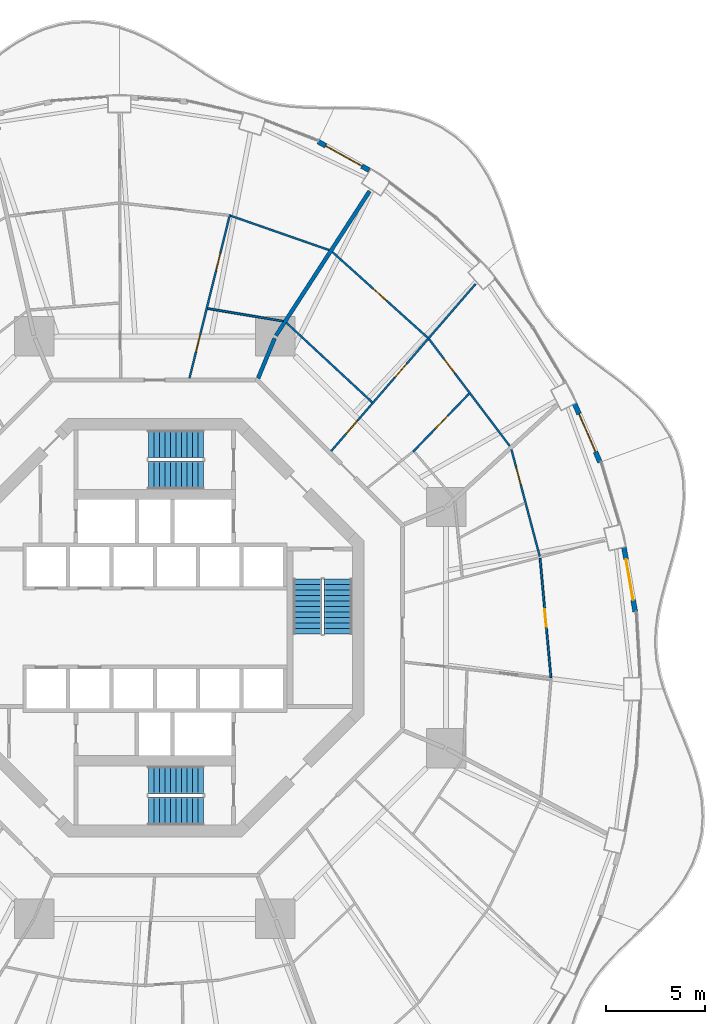
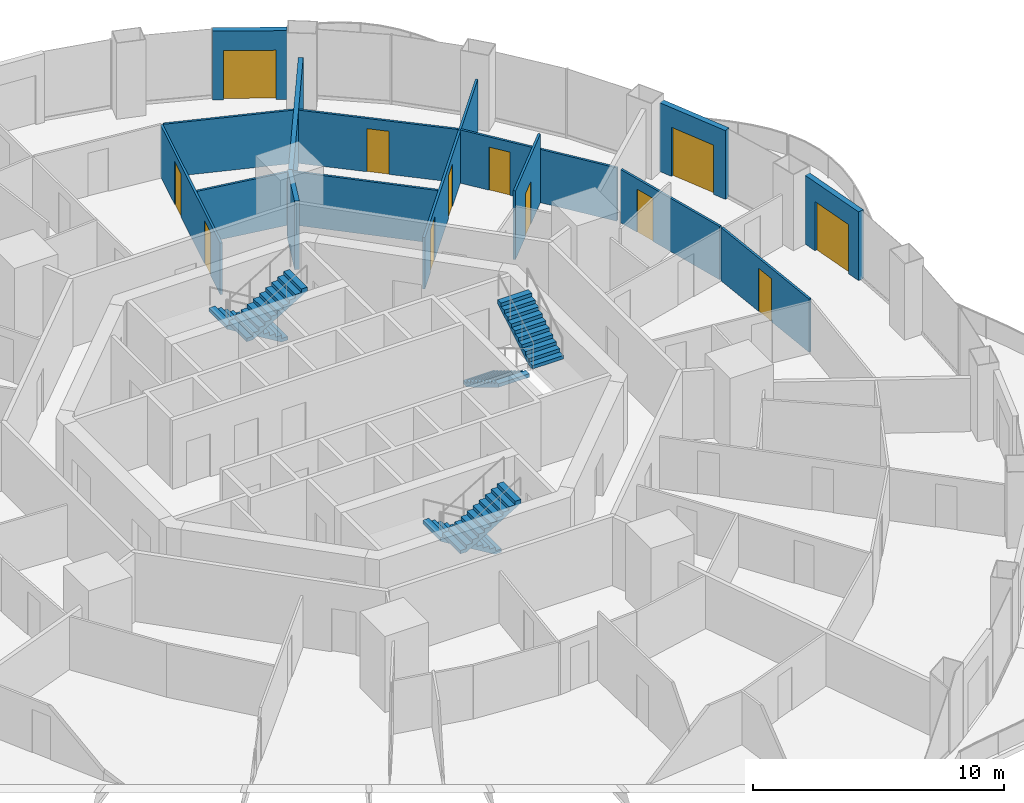
# One storey, part 18 of 21: 15 walls, 12 doors, 6 stair flights, 12 openings, 3 elements without a shape of their own.
"""IFC4 building model written with IfcOpenShell, lengths in metres."""

from ifc_helpers import new_model, si_unit, direction, frame, frame_2d, origin, place, context, subcontext, project, spatial, polyline, rectangle, outline, extrude, material, layer, layer_set, type_object, element, fill, aggregate, save


model = new_model("IFC4")

# Units and contexts
model_context = context("Model", 3, precision=1e-05, world=origin(), true_north=direction((0.0, 1.0)))
body_context = subcontext(model_context, "Body", "Model", "MODEL_VIEW")
ifc_project = project(units=[si_unit("LENGTHUNIT", "METRE"), si_unit("AREAUNIT", "SQUARE_METRE"), si_unit("VOLUMEUNIT", "CUBIC_METRE"), si_unit("PLANEANGLEUNIT", "RADIAN"), si_unit("MASSUNIT", "GRAM", prefix="KILO")], contexts=[model_context])

# Site, building, storey
site_placement = place(None, origin())
site = spatial("IfcSite", under=ifc_project, at=site_placement, CompositionType="ELEMENT")
building_placement = place(site_placement, origin())
building = spatial("IfcBuilding", under=site, at=building_placement, Name="Nagisa Residences", CompositionType="ELEMENT")
storey_placement = place(building_placement, frame((0.0, 0.0, 156.60009765625)))
storey = spatial("IfcBuildingStorey", under=building, at=storey_placement, Name="L39", CompositionType="ELEMENT", Elevation=156.60009765625)

# Walls
ifc_material_1 = material(Name="Gypsum board on steel studs", Category="steel")
ifc_layer_1 = layer(ifc_material_1, 0.199951171875)
ifc_layer_set_1 = layer_set([ifc_layer_1], Name="Apartment compartment wall EI60 200")
wall_type_1 = type_object("IfcWallType", Name="Apartment compartment wall EI60 200", PredefinedType="PARTITIONING", material=ifc_layer_set_1)
wall_1_placement = place(storey_placement, frame((5.24267578125, 12.6572265625, 0.0), z_axis=(0.0, 0.0, 1.0), x_axis=(0.38273085373, 0.923859888513, 0.0)))
element("IfcWall", 1, at=wall_1_placement, inside=storey, type_object=wall_type_1, Name="wall:L39:u02", PredefinedType="PARTITIONING", context=body_context, shape_type="SweptSolid", body=[
    extrude(rectangle(XDim=2.199462890625, YDim=0.199951171875, at=frame_2d((1.099609375, 0.0))), origin(), (0.0, 0.0, 1.0), 3.349853515625),
])
wall_2_placement = place(storey_placement, frame((6.150146484375, 14.823974609375, 0.0), z_axis=(0.0, 0.0, 1.0), x_axis=(0.543695254109, 0.839282711998, 0.0)))
element("IfcWall", 2, at=wall_2_placement, inside=storey, type_object=wall_type_1, Name="wall:L39:u03", PredefinedType="PARTITIONING", context=body_context, shape_type="SweptSolid", body=[
    extrude(rectangle(XDim=8.731201171875, YDim=0.199951171875, at=frame_2d((4.36572265625, 0.0))), origin(), (0.0, 0.0, 1.0), 2.596923828125),
])

# Wall, opening, door
ifc_material_2 = material(Name="Gypsum board on steel studs", Category="steel")
ifc_layer_2 = layer(ifc_material_2, 0.10009765625)
ifc_layer_set_2 = layer_set([ifc_layer_2], Name="Apartment partition 100")
wall_type_2 = type_object("IfcWallType", Name="Apartment partition 100", PredefinedType="PARTITIONING", material=ifc_layer_set_2)
wall_3_placement = place(storey_placement, frame((20.105712890625, -2.54248046875, 0.0), z_axis=(0.0, 0.0, 1.0), x_axis=(-0.090571896131, 0.995889919434, 0.0)))
wall_3 = element("IfcWall", 3, at=wall_3_placement, inside=storey, type_object=wall_type_2, Name="wall:L39:u22", PredefinedType="PARTITIONING", context=body_context, shape_type="SweptSolid", body=[
    extrude(rectangle(XDim=6.08935546875, YDim=0.10009765625, at=frame_2d((3.044677734375, 0.0))), origin(), (0.0, 0.0, 1.0), 2.596923828125),
])
opening_1_placement = place(wall_3_placement, frame((2.594482421875, 0.0, 0.0)))
opening_1 = element("IfcOpeningElement", 4, at=opening_1_placement, cuts=wall_3, Name="Opening L39-U14", PredefinedType="OPENING", context=body_context, shape_type="SweptSolid", body=[
    extrude(rectangle(XDim=0.89990234375, YDim=2.10009765625, at=frame_2d((0.449951171875, 1.050048828125))), frame((0.0, 0.06005859375, 0.0), z_axis=(0.0, -1.0, 0.0), x_axis=(1.0, 0.0, 0.0)), (0.0, 0.0, 1.0), 0.1201171875),
])
ifc_material_3 = material(Name="Timber door set", Category="wood")
door_type_1 = type_object("IfcDoorType", Name="Apartment door 900x2100", OperationType="NOTDEFINED", PredefinedType="DOOR", material=ifc_material_3)
door_1_placement = place(opening_1_placement, frame((0.89990234375, 0.0, 0.0), x_axis=(-1.0, 0.0, 0.0)))
door_1 = element("IfcDoor", 5, at=door_1_placement, inside=storey, type_object=door_type_1, Name="Door to family room, Apartment 39B", OperationType="SINGLE_SWING_LEFT", OverallHeight=2.10009765625, OverallWidth=0.89990234375, PredefinedType="DOOR", context=body_context, shape_type="SweptSolid", body=[
    extrude(rectangle(XDim=0.89990234375, YDim=2.10009765625, at=frame_2d((0.449951171875, 1.050048828125))), frame((0.0, 0.02490234375, 0.0), z_axis=(0.0, -1.0, 0.0), x_axis=(1.0, 0.0, 0.0)), (0.0, 0.0, 1.0), 0.050048828125),
])
fill(opening_1, door_1)

wall_4_placement = place(storey_placement, frame((19.536865234375, 3.619873046875, 0.0), z_axis=(0.0, 0.0, 1.0), x_axis=(-0.255909310473, 0.966700793841, 0.0)))
wall_4 = element("IfcWall", 6, at=wall_4_placement, inside=storey, type_object=wall_type_2, Name="wall:L39:u26", PredefinedType="PARTITIONING", context=body_context, shape_type="SweptSolid", body=[
    extrude(rectangle(XDim=5.608642578125, YDim=0.10009765625, at=frame_2d((2.80419921875, 0.0))), origin(), (0.0, 0.0, 1.0), 2.596923828125),
])
opening_2_placement = place(wall_4_placement, frame((3.768798828125, 0.0, 0.0)))
opening_2 = element("IfcOpeningElement", 7, at=opening_2_placement, cuts=wall_4, Name="Opening L39-U16", PredefinedType="OPENING", context=body_context, shape_type="SweptSolid", body=[
    extrude(rectangle(XDim=0.89990234375, YDim=2.10009765625, at=frame_2d((0.449951171875, 1.050048828125))), frame((0.0, 0.06005859375, 0.0), z_axis=(0.0, -1.0, 0.0), x_axis=(1.0, 0.0, 0.0)), (0.0, 0.0, 1.0), 0.1201171875),
])
door_2_placement = place(opening_2_placement, origin())
door_2 = element("IfcDoor", 8, at=door_2_placement, inside=storey, type_object=door_type_1, Name="Door to en-suite bathroom, Apartment 39B", OperationType="SINGLE_SWING_RIGHT", OverallHeight=2.10009765625, OverallWidth=0.89990234375, PredefinedType="DOOR", context=body_context, shape_type="SweptSolid", body=[
    extrude(rectangle(XDim=0.89990234375, YDim=2.10009765625, at=frame_2d((0.449951171875, 1.050048828125))), frame((0.0, 0.02490234375, 0.0), z_axis=(0.0, -1.0, 0.0), x_axis=(1.0, 0.0, 0.0)), (0.0, 0.0, 1.0), 0.050048828125),
])
fill(opening_2, door_2)

wall_5_placement = place(storey_placement, frame((18.015869140625, 9.21826171875, 0.0), z_axis=(0.0, 0.0, 1.0), x_axis=(-0.602406473922, 0.798189476363, 0.0)))
wall_5 = element("IfcWall", 9, at=wall_5_placement, inside=storey, type_object=wall_type_2, Name="wall:L39:u29", PredefinedType="PARTITIONING", context=body_context, shape_type="SweptSolid", body=[
    extrude(rectangle(XDim=6.793701171875, YDim=0.10009765625, at=frame_2d((3.39697265625, 0.0))), origin(), (0.0, 0.0, 1.0), 2.596923828125),
])
opening_3_placement = place(wall_5_placement, frame((4.6328125, 0.0, 0.0)))
opening_3 = element("IfcOpeningElement", 10, at=opening_3_placement, cuts=wall_5, Name="Opening L39-U22", PredefinedType="OPENING", context=body_context, shape_type="SweptSolid", body=[
    extrude(rectangle(XDim=0.89990234375, YDim=2.10009765625, at=frame_2d((0.449951171875, 1.050048828125))), frame((0.0, 0.06005859375, 0.0), z_axis=(0.0, -1.0, 0.0), x_axis=(1.0, 0.0, 0.0)), (0.0, 0.0, 1.0), 0.1201171875),
])
door_3_placement = place(opening_3_placement, frame((0.89990234375, 0.0, 0.0), x_axis=(-1.0, 0.0, 0.0)))
door_3 = element("IfcDoor", 11, at=door_3_placement, inside=storey, type_object=door_type_1, Name="Door to bedroom, Apartment 39C", OperationType="SINGLE_SWING_LEFT", OverallHeight=2.10009765625, OverallWidth=0.89990234375, PredefinedType="DOOR", context=body_context, shape_type="SweptSolid", body=[
    extrude(rectangle(XDim=0.89990234375, YDim=2.10009765625, at=frame_2d((0.449951171875, 1.050048828125))), frame((0.0, 0.02490234375, 0.0), z_axis=(0.0, -1.0, 0.0), x_axis=(1.0, 0.0, 0.0)), (0.0, 0.0, 1.0), 0.050048828125),
])
fill(opening_3, door_3)

wall_6_placement = place(storey_placement, frame((13.106689453125, 8.928955078125, 0.0), z_axis=(0.0, 0.0, 1.0), x_axis=(0.694592384931, 0.719403515974, 0.0)))
wall_6 = element("IfcWall", 12, at=wall_6_placement, inside=storey, type_object=wall_type_2, Name="wall:L39:u31", PredefinedType="PARTITIONING", context=body_context, shape_type="SweptSolid", body=[
    extrude(rectangle(XDim=4.093505859375, YDim=0.10009765625, at=frame_2d((2.046875, 0.0))), origin(), (0.0, 0.0, 1.0), 3.349853515625),
])
opening_4_placement = place(wall_6_placement, frame((1.62158203125, 0.0, 0.0)))
opening_4 = element("IfcOpeningElement", 13, at=opening_4_placement, cuts=wall_6, Name="Opening L39-U20", PredefinedType="OPENING", context=body_context, shape_type="SweptSolid", body=[
    extrude(rectangle(XDim=0.89990234375, YDim=2.10009765625, at=frame_2d((0.449951171875, 1.050048828125))), frame((0.0, 0.06005859375, 0.0), z_axis=(0.0, -1.0, 0.0), x_axis=(1.0, 0.0, 0.0)), (0.0, 0.0, 1.0), 0.1201171875),
])
door_4_placement = place(opening_4_placement, frame((0.89990234375, 0.0, 0.0), x_axis=(-1.0, 0.0, 0.0)))
door_4 = element("IfcDoor", 14, at=door_4_placement, inside=storey, type_object=door_type_1, Name="Door to family bathroom, Apartment 39C", OperationType="SINGLE_SWING_LEFT", OverallHeight=2.10009765625, OverallWidth=0.89990234375, PredefinedType="DOOR", context=body_context, shape_type="SweptSolid", body=[
    extrude(rectangle(XDim=0.89990234375, YDim=2.10009765625, at=frame_2d((0.449951171875, 1.050048828125))), frame((0.0, 0.02490234375, 0.0), z_axis=(0.0, -1.0, 0.0), x_axis=(1.0, 0.0, 0.0)), (0.0, 0.0, 1.0), 0.050048828125),
])
fill(opening_4, door_4)

# Wall, openings, doors
wall_7_placement = place(storey_placement, frame((8.949951171875, 8.960205078125, 0.0), z_axis=(0.0, 0.0, 1.0), x_axis=(0.653830241148, 0.756641272837, 0.0)))
wall_7 = element("IfcWall", 15, at=wall_7_placement, inside=storey, type_object=wall_type_2, Name="wall:L39:u32", PredefinedType="PARTITIONING", context=body_context, shape_type="SweptSolid", body=[
    extrude(rectangle(XDim=11.208251953125, YDim=0.10009765625, at=frame_2d((5.60400390625, 0.0))), origin(), (0.0, 0.0, 1.0), 2.514892578125),
])
opening_5_placement = place(wall_7_placement, frame((1.16796875, 0.0, 0.0)))
opening_5 = element("IfcOpeningElement", 16, at=opening_5_placement, cuts=wall_7, Name="Opening L39-U19", PredefinedType="OPENING", context=body_context, shape_type="SweptSolid", body=[
    extrude(rectangle(XDim=0.89990234375, YDim=2.10009765625, at=frame_2d((0.449951171875, 1.050048828125))), frame((0.0, 0.06005859375, 0.0), z_axis=(0.0, -1.0, 0.0), x_axis=(1.0, 0.0, 0.0)), (0.0, 0.0, 1.0), 0.1201171875),
])
opening_6_placement = place(wall_7_placement, frame((4.9482421875, 0.0, 0.0)))
opening_6 = element("IfcOpeningElement", 17, at=opening_6_placement, cuts=wall_7, Name="Opening L39-U21", PredefinedType="OPENING", context=body_context, shape_type="SweptSolid", body=[
    extrude(rectangle(XDim=0.89990234375, YDim=2.10009765625, at=frame_2d((0.449951171875, 1.050048828125))), frame((0.0, 0.06005859375, 0.0), z_axis=(0.0, -1.0, 0.0), x_axis=(1.0, 0.0, 0.0)), (0.0, 0.0, 1.0), 0.1201171875),
])
door_5_placement = place(opening_5_placement, origin())
door_5 = element("IfcDoor", 18, at=door_5_placement, inside=storey, type_object=door_type_1, Name="Door to laundry, Apartment 39C", OperationType="SINGLE_SWING_LEFT", OverallHeight=2.10009765625, OverallWidth=0.89990234375, PredefinedType="DOOR", context=body_context, shape_type="SweptSolid", body=[
    extrude(rectangle(XDim=0.89990234375, YDim=2.10009765625, at=frame_2d((0.449951171875, 1.050048828125))), frame((0.0, 0.02490234375, 0.0), z_axis=(0.0, -1.0, 0.0), x_axis=(1.0, 0.0, 0.0)), (0.0, 0.0, 1.0), 0.050048828125),
])
fill(opening_5, door_5)
door_6_placement = place(opening_6_placement, origin())
door_6 = element("IfcDoor", 19, at=door_6_placement, inside=storey, type_object=door_type_1, Name="Door to kitchen, Apartment 39C", OperationType="SINGLE_SWING_LEFT", OverallHeight=2.10009765625, OverallWidth=0.89990234375, PredefinedType="DOOR", context=body_context, shape_type="SweptSolid", body=[
    extrude(rectangle(XDim=0.89990234375, YDim=2.10009765625, at=frame_2d((0.449951171875, 1.050048828125))), frame((0.0, 0.02490234375, 0.0), z_axis=(0.0, -1.0, 0.0), x_axis=(1.0, 0.0, 0.0)), (0.0, 0.0, 1.0), 0.050048828125),
])
fill(opening_6, door_6)

# Wall
wall_8_placement = place(storey_placement, frame((11.029052734375, 11.44287109375, 0.0), z_axis=(0.0, 0.0, 1.0), x_axis=(-0.733113447346, 0.680106369122, 0.0)))
element("IfcWall", 20, at=wall_8_placement, inside=storey, type_object=wall_type_2, Name="wall:L39:u33", PredefinedType="PARTITIONING", context=body_context, shape_type="SweptSolid", body=[
    extrude(rectangle(XDim=5.923095703125, YDim=0.10009765625, at=frame_2d((2.96142578125, 0.0))), origin(), (0.0, 0.0, 1.0), 2.596923828125),
])

# Wall, opening, door
wall_9_placement = place(storey_placement, frame((13.856201171875, 14.71435546875, 0.0), z_axis=(0.0, 0.0, 1.0), x_axis=(-0.743799395746, 0.668402916577, 0.0)))
wall_9 = element("IfcWall", 21, at=wall_9_placement, inside=storey, type_object=wall_type_2, Name="wall:L39:u34", PredefinedType="PARTITIONING", context=body_context, shape_type="SweptSolid", body=[
    extrude(rectangle(XDim=6.508544921875, YDim=0.10009765625, at=frame_2d((3.25439453125, 0.0))), origin(), (0.0, 0.0, 1.0), 2.596923828125),
])
opening_7_placement = place(wall_9_placement, frame((2.80419921875, 0.0, 0.0)))
opening_7 = element("IfcOpeningElement", 22, at=opening_7_placement, cuts=wall_9, Name="Opening L39-U23", PredefinedType="OPENING", context=body_context, shape_type="SweptSolid", body=[
    extrude(rectangle(XDim=0.89990234375, YDim=2.10009765625, at=frame_2d((0.449951171875, 1.050048828125))), frame((0.0, 0.06005859375, 0.0), z_axis=(0.0, -1.0, 0.0), x_axis=(1.0, 0.0, 0.0)), (0.0, 0.0, 1.0), 0.1201171875),
])
door_7_placement = place(opening_7_placement, frame((0.89990234375, 0.0, 0.0), x_axis=(-1.0, 0.0, 0.0)))
door_7 = element("IfcDoor", 23, at=door_7_placement, inside=storey, type_object=door_type_1, Name="Door to master bedroom, Apartment 39C", OperationType="SINGLE_SWING_RIGHT", OverallHeight=2.10009765625, OverallWidth=0.89990234375, PredefinedType="DOOR", context=body_context, shape_type="SweptSolid", body=[
    extrude(rectangle(XDim=0.89990234375, YDim=2.10009765625, at=frame_2d((0.449951171875, 1.050048828125))), frame((0.0, 0.02490234375, 0.0), z_axis=(0.0, -1.0, 0.0), x_axis=(1.0, 0.0, 0.0)), (0.0, 0.0, 1.0), 0.050048828125),
])
fill(opening_7, door_7)

# Walls
wall_10_placement = place(storey_placement, frame((6.5146484375, 15.5556640625, 0.0), z_axis=(0.0, 0.0, 1.0), x_axis=(-0.986271328884, 0.16513287323, 0.0)))
element("IfcWall", 24, at=wall_10_placement, inside=storey, type_object=wall_type_2, Name="wall:L39:u35", PredefinedType="PARTITIONING", context=body_context, shape_type="SweptSolid", body=[
    extrude(rectangle(XDim=3.8837890625, YDim=0.10009765625, at=frame_2d((1.94189453125, 0.0))), origin(), (0.0, 0.0, 1.0), 2.596923828125),
])
wall_11_placement = place(storey_placement, frame((8.84619140625, 19.16455078125, 0.0), z_axis=(0.0, 0.0, 1.0), x_axis=(-0.944186503813, 0.329411362915, 0.0)))
element("IfcWall", 25, at=wall_11_placement, inside=storey, type_object=wall_type_2, Name="wall:L39:u36", PredefinedType="PARTITIONING", context=body_context, shape_type="SweptSolid", body=[
    extrude(rectangle(XDim=5.293212890625, YDim=0.10009765625, at=frame_2d((2.646484375, 0.0))), origin(), (0.0, 0.0, 1.0), 2.596923828125),
])

# Wall, openings, doors
wall_12_placement = place(storey_placement, frame((1.7587890625, 12.661865234375, 0.0), z_axis=(0.0, 0.0, 1.0), x_axis=(0.239964949221, 0.970781552743, 0.0)))
wall_12 = element("IfcWall", 26, at=wall_12_placement, inside=storey, type_object=wall_type_2, Name="wall:L39:u37", PredefinedType="PARTITIONING", context=body_context, shape_type="SweptSolid", body=[
    extrude(rectangle(XDim=8.5615234375, YDim=0.10009765625, at=frame_2d((4.28076171875, 0.0))), origin(), (0.0, 0.0, 1.0), 2.514892578125),
])
opening_8_placement = place(wall_12_placement, frame((1.375, 0.0, 0.0)))
opening_8 = element("IfcOpeningElement", 27, at=opening_8_placement, cuts=wall_12, Name="Opening L39-U25", PredefinedType="OPENING", context=body_context, shape_type="SweptSolid", body=[
    extrude(rectangle(XDim=0.89990234375, YDim=2.10009765625, at=frame_2d((0.449951171875, 1.050048828125))), frame((0.0, 0.06005859375, 0.0), z_axis=(0.0, -1.0, 0.0), x_axis=(1.0, 0.0, 0.0)), (0.0, 0.0, 1.0), 0.1201171875),
])
opening_9_placement = place(wall_12_placement, frame((5.630859375, 0.0, 0.0)))
opening_9 = element("IfcOpeningElement", 28, at=opening_9_placement, cuts=wall_12, Name="Opening L39-U27", PredefinedType="OPENING", context=body_context, shape_type="SweptSolid", body=[
    extrude(rectangle(XDim=0.89990234375, YDim=2.10009765625, at=frame_2d((0.449951171875, 1.050048828125))), frame((0.0, 0.06005859375, 0.0), z_axis=(0.0, -1.0, 0.0), x_axis=(1.0, 0.0, 0.0)), (0.0, 0.0, 1.0), 0.1201171875),
])
door_8_placement = place(opening_8_placement, frame((0.89990234375, 0.0, 0.0), x_axis=(-1.0, 0.0, 0.0)))
door_8 = element("IfcDoor", 29, at=door_8_placement, inside=storey, type_object=door_type_1, Name="Door to family bathroom, Apartment 39D", OperationType="SINGLE_SWING_RIGHT", OverallHeight=2.10009765625, OverallWidth=0.89990234375, PredefinedType="DOOR", context=body_context, shape_type="SweptSolid", body=[
    extrude(rectangle(XDim=0.89990234375, YDim=2.10009765625, at=frame_2d((0.449951171875, 1.050048828125))), frame((0.0, 0.02490234375, 0.0), z_axis=(0.0, -1.0, 0.0), x_axis=(1.0, 0.0, 0.0)), (0.0, 0.0, 1.0), 0.050048828125),
])
fill(opening_8, door_8)
door_9_placement = place(opening_9_placement, frame((0.89990234375, 0.0, 0.0), x_axis=(-1.0, 0.0, 0.0)))
door_9 = element("IfcDoor", 30, at=door_9_placement, inside=storey, type_object=door_type_1, Name="Door to kitchen, Apartment 39D", OperationType="SINGLE_SWING_RIGHT", OverallHeight=2.10009765625, OverallWidth=0.89990234375, PredefinedType="DOOR", context=body_context, shape_type="SweptSolid", body=[
    extrude(rectangle(XDim=0.89990234375, YDim=2.10009765625, at=frame_2d((0.449951171875, 1.050048828125))), frame((0.0, 0.02490234375, 0.0), z_axis=(0.0, -1.0, 0.0), x_axis=(1.0, 0.0, 0.0)), (0.0, 0.0, 1.0), 0.050048828125),
])
fill(opening_9, door_9)

# Wall, opening, door
ifc_material_4 = material(Name="Precast concrete C40/50", Category="concrete")
ifc_layer_3 = layer(ifc_material_4, 0.25)
ifc_layer_set_3 = layer_set([ifc_layer_3], Name="BALCONY DOOR WALL 250")
wall_type_3 = type_object("IfcWallType", Name="BALCONY DOOR WALL 250", PredefinedType="SOLIDWALL", material=ifc_layer_set_3)
wall_13_placement = place(storey_placement, frame((23.81103515625, 4.084716796875, 0.0), z_axis=(0.0, 0.0, 1.0), x_axis=(0.172163521006, -0.985068384446, 0.0)))
wall_13 = element("IfcWall", 31, at=wall_13_placement, inside=storey, type_object=wall_type_3, Name="wall:L39:bay01", PredefinedType="SOLIDWALL", context=body_context, shape_type="SweptSolid", body=[
    extrude(rectangle(XDim=3.33251953125, YDim=0.25, at=frame_2d((1.666259765625, 0.0))), origin(), (0.0, 0.0, 1.0), 3.349853515625),
])
opening_10_placement = place(wall_13_placement, frame((0.6162109375, 0.0, 0.0)))
opening_10 = element("IfcOpeningElement", 32, at=opening_10_placement, cuts=wall_13, Name="Opening BD-L39-01", PredefinedType="OPENING", context=body_context, shape_type="SweptSolid", body=[
    extrude(rectangle(XDim=2.10009765625, YDim=2.39990234375, at=frame_2d((1.050048828125, 1.199951171875))), frame((0.0, 0.135009765625, 0.0), z_axis=(0.0, -1.0, 0.0), x_axis=(1.0, 0.0, 0.0)), (0.0, 0.0, 1.0), 0.27001953125),
])
ifc_material_5 = material(Name="Aluminium and clear glass", Category="aluminium")
door_type_2 = type_object("IfcDoorType", Name="BALCONY SLIDING DOOR 2100x2400", OperationType="SLIDING_TO_LEFT", PredefinedType="DOOR", material=ifc_material_5)
door_10_placement = place(opening_10_placement, origin())
door_10 = element("IfcDoor", 33, at=door_10_placement, inside=storey, type_object=door_type_2, Name="door:L39:bay01", OperationType="SLIDING_TO_LEFT", OverallHeight=2.39990234375, OverallWidth=2.10009765625, PredefinedType="DOOR", context=body_context, shape_type="SweptSolid", body=[
    extrude(rectangle(XDim=2.10009765625, YDim=2.39990234375, at=frame_2d((1.050048828125, 1.199951171875))), frame((0.0, 0.02490234375, 0.0), z_axis=(0.0, -1.0, 0.0), x_axis=(1.0, 0.0, 0.0)), (0.0, 0.0, 1.0), 0.050048828125),
])
fill(opening_10, door_10)

wall_14_placement = place(storey_placement, frame((21.303955078125, 11.379638671875, 0.0), z_axis=(0.0, 0.0, 1.0), x_axis=(0.397575919276, -0.917569282622, 0.0)))
wall_14 = element("IfcWall", 34, at=wall_14_placement, inside=storey, type_object=wall_type_3, Name="wall:L39:bay03", PredefinedType="SOLIDWALL", context=body_context, shape_type="SweptSolid", body=[
    extrude(rectangle(XDim=3.2607421875, YDim=0.25, at=frame_2d((1.63037109375, 0.0))), origin(), (0.0, 0.0, 1.0), 3.349853515625),
])
opening_11_placement = place(wall_14_placement, frame((0.580322265625, 0.0, 0.0)))
opening_11 = element("IfcOpeningElement", 35, at=opening_11_placement, cuts=wall_14, Name="Opening BD-L39-02", PredefinedType="OPENING", context=body_context, shape_type="SweptSolid", body=[
    extrude(rectangle(XDim=2.10009765625, YDim=2.39990234375, at=frame_2d((1.050048828125, 1.199951171875))), frame((0.0, 0.135009765625, 0.0), z_axis=(0.0, -1.0, 0.0), x_axis=(1.0, 0.0, 0.0)), (0.0, 0.0, 1.0), 0.27001953125),
])
door_11_placement = place(opening_11_placement, origin())
door_11 = element("IfcDoor", 36, at=door_11_placement, inside=storey, type_object=door_type_2, Name="door:L39:bay03", OperationType="SLIDING_TO_LEFT", OverallHeight=2.39990234375, OverallWidth=2.10009765625, PredefinedType="DOOR", context=body_context, shape_type="SweptSolid", body=[
    extrude(rectangle(XDim=2.10009765625, YDim=2.39990234375, at=frame_2d((1.050048828125, 1.199951171875))), frame((0.0, 0.02490234375, 0.0), z_axis=(0.0, -1.0, 0.0), x_axis=(1.0, 0.0, 0.0)), (0.0, 0.0, 1.0), 0.050048828125),
])
fill(opening_11, door_11)

wall_15_placement = place(storey_placement, frame((8.293212890625, 24.669921875, 0.0), z_axis=(0.0, 0.0, 1.0), x_axis=(0.87206688547, -0.489386705241, 0.0)))
wall_15 = element("IfcWall", 37, at=wall_15_placement, inside=storey, type_object=wall_type_3, Name="wall:L39:bay08", PredefinedType="SOLIDWALL", context=body_context, shape_type="SweptSolid", body=[
    extrude(rectangle(XDim=2.9697265625, YDim=0.25, at=frame_2d((1.48486328125, 0.0))), origin(), (0.0, 0.0, 1.0), 3.349853515625),
])
opening_12_placement = place(wall_15_placement, frame((0.434814453125, 0.0, 0.0)))
opening_12 = element("IfcOpeningElement", 38, at=opening_12_placement, cuts=wall_15, Name="Opening BD-L39-03", PredefinedType="OPENING", context=body_context, shape_type="SweptSolid", body=[
    extrude(rectangle(XDim=2.10009765625, YDim=2.39990234375, at=frame_2d((1.050048828125, 1.199951171875))), frame((0.0, 0.135009765625, 0.0), z_axis=(0.0, -1.0, 0.0), x_axis=(1.0, 0.0, 0.0)), (0.0, 0.0, 1.0), 0.27001953125),
])
door_12_placement = place(opening_12_placement, origin())
door_12 = element("IfcDoor", 39, at=door_12_placement, inside=storey, type_object=door_type_2, Name="door:L39:bay08", OperationType="SLIDING_TO_LEFT", OverallHeight=2.39990234375, OverallWidth=2.10009765625, PredefinedType="DOOR", context=body_context, shape_type="SweptSolid", body=[
    extrude(rectangle(XDim=2.10009765625, YDim=2.39990234375, at=frame_2d((1.050048828125, 1.199951171875))), frame((0.0, 0.02490234375, 0.0), z_axis=(0.0, -1.0, 0.0), x_axis=(1.0, 0.0, 0.0)), (0.0, 0.0, 1.0), 0.050048828125),
])
fill(opening_12, door_12)

# Stair, stair flights
ifc_material_6 = material(Name="Concrete C60", Category="concrete")
stair_type = type_object("IfcStairType", Name="Exit stair", PredefinedType="HALF_TURN_STAIR", material=ifc_material_6)
stair_1_placement = place(storey_placement, origin())
stair_1 = element("IfcStair", 40, at=stair_1_placement, inside=storey, type_object=stair_type, Name="L39 Exit stair E", PredefinedType="HALF_TURN_STAIR")
ifc_material_7 = material(Name="Concrete C60", Category="concrete")
stair_flight_type = type_object("IfcStairFlightType", Name="Exit stair flight", PredefinedType="STRAIGHT", material=ifc_material_7)
stair_flight_1_placement = place(storey_placement, frame((7.737060546875, 2.47509765625, 0.0), z_axis=(0.0, 0.0, 1.0), x_axis=(0.0, -1.0, 0.0)))
stair_flight_1 = element("IfcStairFlight", 41, at=stair_flight_1_placement, type_object=stair_flight_type, Name="ST-E flight 1", NumberOfRisers=11, NumberOfTreads=10, PredefinedType="STRAIGHT", RiserHeight=0.168181818, TreadLength=0.28, context=body_context, shape_type="SweptSolid", body=[
    extrude(outline(polyline([(0.0, 0.0), (0.0, 0.168212890625), (0.280029296875, 0.168212890625), (0.280029296875, 0.33642578125), (0.56005859375, 0.33642578125), (0.56005859375, 0.504638671875), (0.840087890625, 0.504638671875), (0.840087890625, 0.672607421875), (1.1201171875, 0.672607421875), (1.1201171875, 0.8408203125), (1.39990234375, 0.8408203125), (1.39990234375, 1.009033203125), (1.679931640625, 1.009033203125), (1.679931640625, 1.17724609375), (1.9599609375, 1.17724609375), (1.9599609375, 1.345458984375), (2.239990234375, 1.345458984375), (2.239990234375, 1.513671875), (2.52001953125, 1.513671875), (2.52001953125, 1.681884765625), (2.800048828125, 1.681884765625), (2.800048828125, 1.85009765625), (2.800048828125, 1.5068359375), (0.291015625, 0.0), (0.0, 0.0)])), frame((0.0, 0.71240234375, 0.0), z_axis=(0.0, -1.0, 0.0), x_axis=(1.0, 0.0, 0.0)), (0.0, 0.0, 1.0), 1.425048828125),
])
stair_flight_2_placement = place(storey_placement, frame((9.31201171875, -0.324951171875, 1.849853515625), z_axis=(0.0, 0.0, 1.0), x_axis=(0.0, 1.0, 0.0)))
stair_flight_2 = element("IfcStairFlight", 42, at=stair_flight_2_placement, type_object=stair_flight_type, Name="ST-E flight 2", NumberOfRisers=11, NumberOfTreads=10, PredefinedType="STRAIGHT", RiserHeight=0.168181818, TreadLength=0.28, context=body_context, shape_type="SweptSolid", body=[
    extrude(outline(polyline([(0.0, 0.0), (0.0, 0.168212890625), (0.280029296875, 0.168212890625), (0.280029296875, 0.33642578125), (0.56005859375, 0.33642578125), (0.56005859375, 0.504638671875), (0.840087890625, 0.504638671875), (0.840087890625, 0.672607421875), (1.1201171875, 0.672607421875), (1.1201171875, 0.8408203125), (1.39990234375, 0.8408203125), (1.39990234375, 1.009033203125), (1.679931640625, 1.009033203125), (1.679931640625, 1.17724609375), (1.9599609375, 1.17724609375), (1.9599609375, 1.345458984375), (2.239990234375, 1.345458984375), (2.239990234375, 1.513671875), (2.52001953125, 1.513671875), (2.52001953125, 1.681884765625), (2.800048828125, 1.681884765625), (2.800048828125, 1.85009765625), (2.800048828125, 1.5068359375), (0.291015625, 0.0), (0.0, 0.0)])), frame((0.0, 0.71240234375, 0.0), z_axis=(0.0, -1.0, 0.0), x_axis=(1.0, 0.0, 0.0)), (0.0, 0.0, 1.0), 1.425048828125),
])
aggregate(stair_1, [stair_flight_1, stair_flight_2])

stair_2_placement = place(storey_placement, origin())
stair_2 = element("IfcStair", 43, at=stair_2_placement, inside=storey, type_object=stair_type, Name="L39 Exit stair N", PredefinedType="HALF_TURN_STAIR")
stair_flight_3_placement = place(storey_placement, frame((2.47509765625, 9.31201171875, 0.0), z_axis=(0.0, 0.0, 1.0), x_axis=(-1.0, 0.0, 0.0)))
stair_flight_3 = element("IfcStairFlight", 44, at=stair_flight_3_placement, type_object=stair_flight_type, Name="ST-N flight 1", NumberOfRisers=11, NumberOfTreads=10, PredefinedType="STRAIGHT", RiserHeight=0.168181818, TreadLength=0.28, context=body_context, shape_type="SweptSolid", body=[
    extrude(outline(polyline([(0.0, 0.0), (0.0, 0.168212890625), (0.280029296875, 0.168212890625), (0.280029296875, 0.33642578125), (0.56005859375, 0.33642578125), (0.56005859375, 0.504638671875), (0.840087890625, 0.504638671875), (0.840087890625, 0.672607421875), (1.1201171875, 0.672607421875), (1.1201171875, 0.8408203125), (1.39990234375, 0.8408203125), (1.39990234375, 1.009033203125), (1.679931640625, 1.009033203125), (1.679931640625, 1.17724609375), (1.9599609375, 1.17724609375), (1.9599609375, 1.345458984375), (2.239990234375, 1.345458984375), (2.239990234375, 1.513671875), (2.52001953125, 1.513671875), (2.52001953125, 1.681884765625), (2.800048828125, 1.681884765625), (2.800048828125, 1.85009765625), (2.800048828125, 1.5068359375), (0.291015625, 0.0), (0.0, 0.0)])), frame((0.0, 0.71240234375, 0.0), z_axis=(0.0, -1.0, 0.0), x_axis=(1.0, 0.0, 0.0)), (0.0, 0.0, 1.0), 1.425048828125),
])
stair_flight_4_placement = place(storey_placement, frame((-0.324951171875, 7.737060546875, 1.849853515625), z_axis=(0.0, 0.0, 1.0), x_axis=(1.0, 0.0, 0.0)))
stair_flight_4 = element("IfcStairFlight", 45, at=stair_flight_4_placement, type_object=stair_flight_type, Name="ST-N flight 2", NumberOfRisers=11, NumberOfTreads=10, PredefinedType="STRAIGHT", RiserHeight=0.168181818, TreadLength=0.28, context=body_context, shape_type="SweptSolid", body=[
    extrude(outline(polyline([(0.0, 0.0), (0.0, 0.168212890625), (0.280029296875, 0.168212890625), (0.280029296875, 0.33642578125), (0.56005859375, 0.33642578125), (0.56005859375, 0.504638671875), (0.840087890625, 0.504638671875), (0.840087890625, 0.672607421875), (1.1201171875, 0.672607421875), (1.1201171875, 0.8408203125), (1.39990234375, 0.8408203125), (1.39990234375, 1.009033203125), (1.679931640625, 1.009033203125), (1.679931640625, 1.17724609375), (1.9599609375, 1.17724609375), (1.9599609375, 1.345458984375), (2.239990234375, 1.345458984375), (2.239990234375, 1.513671875), (2.52001953125, 1.513671875), (2.52001953125, 1.681884765625), (2.800048828125, 1.681884765625), (2.800048828125, 1.85009765625), (2.800048828125, 1.5068359375), (0.291015625, 0.0), (0.0, 0.0)])), frame((0.0, 0.71240234375, 0.0), z_axis=(0.0, -1.0, 0.0), x_axis=(1.0, 0.0, 0.0)), (0.0, 0.0, 1.0), 1.425048828125),
])
aggregate(stair_2, [stair_flight_3, stair_flight_4])

stair_3_placement = place(storey_placement, origin())
stair_3 = element("IfcStair", 46, at=stair_3_placement, inside=storey, type_object=stair_type, Name="L39 Exit stair S", PredefinedType="HALF_TURN_STAIR")
stair_flight_5_placement = place(storey_placement, frame((2.47509765625, -7.737060546875, 0.0), z_axis=(0.0, 0.0, 1.0), x_axis=(-1.0, 0.0, 0.0)))
stair_flight_5 = element("IfcStairFlight", 47, at=stair_flight_5_placement, type_object=stair_flight_type, Name="ST-S flight 1", NumberOfRisers=11, NumberOfTreads=10, PredefinedType="STRAIGHT", RiserHeight=0.168181818, TreadLength=0.28, context=body_context, shape_type="SweptSolid", body=[
    extrude(outline(polyline([(0.0, 0.0), (0.0, 0.168212890625), (0.280029296875, 0.168212890625), (0.280029296875, 0.33642578125), (0.56005859375, 0.33642578125), (0.56005859375, 0.504638671875), (0.840087890625, 0.504638671875), (0.840087890625, 0.672607421875), (1.1201171875, 0.672607421875), (1.1201171875, 0.8408203125), (1.39990234375, 0.8408203125), (1.39990234375, 1.009033203125), (1.679931640625, 1.009033203125), (1.679931640625, 1.17724609375), (1.9599609375, 1.17724609375), (1.9599609375, 1.345458984375), (2.239990234375, 1.345458984375), (2.239990234375, 1.513671875), (2.52001953125, 1.513671875), (2.52001953125, 1.681884765625), (2.800048828125, 1.681884765625), (2.800048828125, 1.85009765625), (2.800048828125, 1.5068359375), (0.291015625, 0.0), (0.0, 0.0)])), frame((0.0, 0.71240234375, 0.0), z_axis=(0.0, -1.0, 0.0), x_axis=(1.0, 0.0, 0.0)), (0.0, 0.0, 1.0), 1.425048828125),
])
stair_flight_6_placement = place(storey_placement, frame((-0.324951171875, -9.31201171875, 1.849853515625), z_axis=(0.0, 0.0, 1.0), x_axis=(1.0, 0.0, 0.0)))
stair_flight_6 = element("IfcStairFlight", 48, at=stair_flight_6_placement, type_object=stair_flight_type, Name="ST-S flight 2", NumberOfRisers=11, NumberOfTreads=10, PredefinedType="STRAIGHT", RiserHeight=0.168181818, TreadLength=0.28, context=body_context, shape_type="SweptSolid", body=[
    extrude(outline(polyline([(0.0, 0.0), (0.0, 0.168212890625), (0.280029296875, 0.168212890625), (0.280029296875, 0.33642578125), (0.56005859375, 0.33642578125), (0.56005859375, 0.504638671875), (0.840087890625, 0.504638671875), (0.840087890625, 0.672607421875), (1.1201171875, 0.672607421875), (1.1201171875, 0.8408203125), (1.39990234375, 0.8408203125), (1.39990234375, 1.009033203125), (1.679931640625, 1.009033203125), (1.679931640625, 1.17724609375), (1.9599609375, 1.17724609375), (1.9599609375, 1.345458984375), (2.239990234375, 1.345458984375), (2.239990234375, 1.513671875), (2.52001953125, 1.513671875), (2.52001953125, 1.681884765625), (2.800048828125, 1.681884765625), (2.800048828125, 1.85009765625), (2.800048828125, 1.5068359375), (0.291015625, 0.0), (0.0, 0.0)])), frame((0.0, 0.71240234375, 0.0), z_axis=(0.0, -1.0, 0.0), x_axis=(1.0, 0.0, 0.0)), (0.0, 0.0, 1.0), 1.425048828125),
])
aggregate(stair_3, [stair_flight_5, stair_flight_6])

save(model, "model.ifc")
